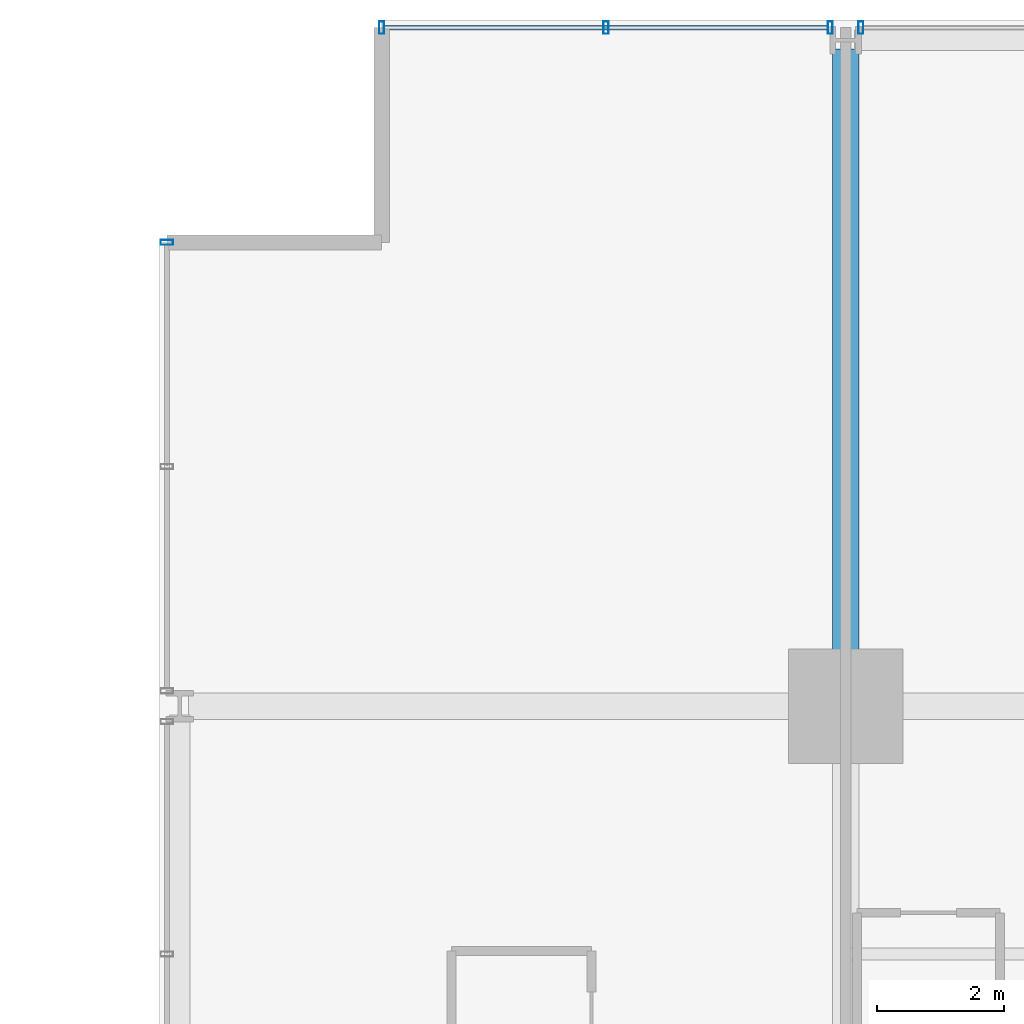
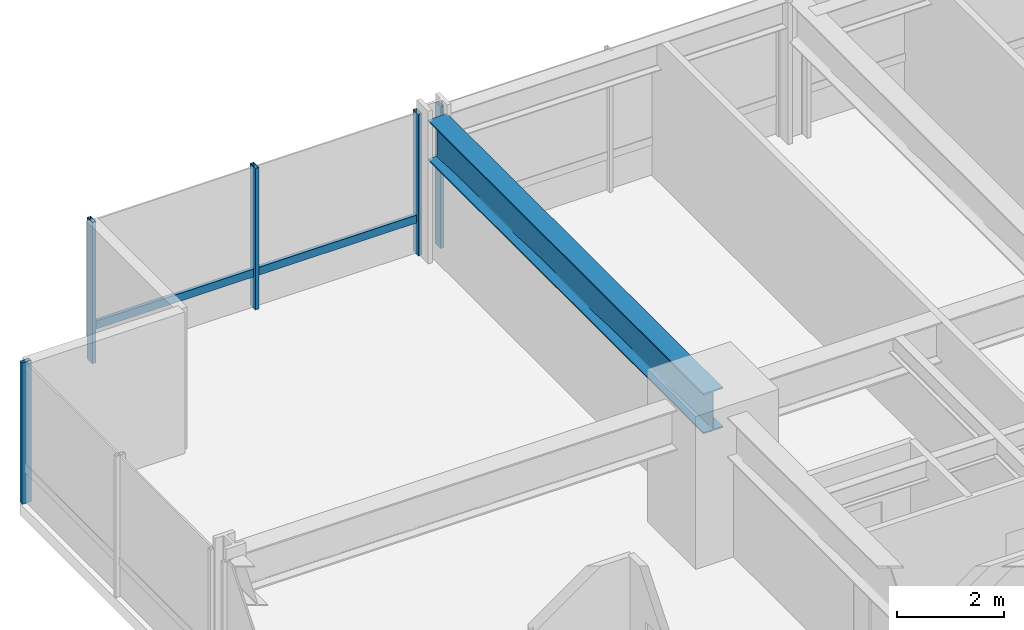
# One storey, part 21 of 39: 6 members, 1 beam, 3 elements without a shape of their own.
"""IFC4 building model written with IfcOpenShell, lengths in metres."""

from ifc_helpers import new_model, si_unit, direction, frame, origin, origin_2d, place, context, subcontext, project, spatial, hollow_rectangle, i_section, extrude, material, layer, layer_set, material_profile, profile_set, type_object, element, aggregate, save


model = new_model("IFC4")

# Units and contexts
model_context = context("Model", 3, precision=1e-05, world=origin(), true_north=direction((0.0, 1.0)))
body_context = subcontext(model_context, "Body", "Model", "MODEL_VIEW")
ifc_project = project(units=[si_unit("LENGTHUNIT", "METRE"), si_unit("AREAUNIT", "SQUARE_METRE"), si_unit("VOLUMEUNIT", "CUBIC_METRE"), si_unit("PLANEANGLEUNIT", "RADIAN"), si_unit("MASSUNIT", "GRAM", prefix="KILO")], contexts=[model_context])

# Site, building, storey
site_placement = place(None, origin())
site = spatial("IfcSite", under=ifc_project, at=site_placement, CompositionType="ELEMENT")
building_placement = place(site_placement, origin())
building = spatial("IfcBuilding", under=site, at=building_placement, Name="Drelvath Grand Hotel", CompositionType="ELEMENT")
storey_placement = place(building_placement, frame((0.0, 0.0, 36.699951171875)))
storey = spatial("IfcBuildingStorey", under=building, at=storey_placement, Name="L07", CompositionType="ELEMENT", Elevation=36.699951171875)

# Curtain wall, member
ifc_material_1 = material(Name="Warm Bronze Anodised Aluminium Frame", Category="aluminium")
ifc_layer = layer(ifc_material_1, 0.199951171875)
ifc_layer_set = layer_set([ifc_layer], Name="Warm Bronze Anodised Aluminium Frame")
curtain_wall_type = type_object("IfcCurtainWallType", Name="Stick Curtain Wall CW-02 Warm Bronze Low-Rise", PredefinedType="NOTDEFINED", material=ifc_layer_set)
curtain_wall_1_placement = place(storey_placement, origin())
curtain_wall_1 = element("IfcCurtainWall", 1, at=curtain_wall_1_placement, inside=storey, type_object=curtain_wall_type, Name="L07 CW-02 Curtain Wall CW02-L07-NW1", PredefinedType="NOTDEFINED")
ifc_material_profile_1 = material_profile(ifc_material_1, hollow_rectangle(XDim=0.074951171875, YDim=0.179931640625, WallThickness=0.0048828125, at=origin_2d()), Name="HSS180X75X5")
ifc_profile_set_1 = profile_set([ifc_material_profile_1], Name="Warm Bronze Anodised Aluminium Frame")
member_type_1 = type_object("IfcMemberType", Name="Curtain Wall Horizontal Transom CW-02 HSS180X75X5", PredefinedType="USERDEFINED", material=ifc_profile_set_1)
member_1_placement = place(storey_placement, frame((-23.4599609375, 53.8798828125, 0.81005859375), z_axis=(1.0, 0.0, 0.0), x_axis=(0.0, 1.0, 0.0)))
member_1 = element("IfcMember", 2, at=member_1_placement, type_object=member_type_1, Name="CW02-L07-NW1 Sill Transom", ObjectType="TRANSOM", PredefinedType="USERDEFINED", context=body_context, shape_type="SweptSolid", body=[
    extrude(hollow_rectangle(XDim=0.074951171875, YDim=0.179931640625, WallThickness=0.0048828125, at=origin_2d()), origin(), (0.0, 0.0, 1.0), 6.97900390625),
])

curtain_wall_2_placement = place(storey_placement, origin())
curtain_wall_2 = element("IfcCurtainWall", 3, at=curtain_wall_2_placement, inside=storey, type_object=curtain_wall_type, Name="L07 CW-02 Curtain Wall CW02-L07-WN3", PredefinedType="NOTDEFINED")
ifc_material_profile_2 = material_profile(ifc_material_1, hollow_rectangle(XDim=0.080078125, YDim=0.199951171875, WallThickness=0.0048828125, at=origin_2d()), Name="HSS200X80X5")
ifc_profile_set_2 = profile_set([ifc_material_profile_2], Name="Warm Bronze Anodised Aluminium Frame")
member_type_2 = type_object("IfcMemberType", Name="Curtain Wall Vertical Mullion CW-02 HSS200X80X5", PredefinedType="MULLION", material=ifc_profile_set_2)
member_2_placement = place(storey_placement, frame((-26.8798828125, 50.5, 0.0), z_axis=(0.0, 0.0, 1.0), x_axis=(0.0, 1.0, 0.0)))
member_2 = element("IfcMember", 4, at=member_2_placement, type_object=member_type_2, Name="CW02-L07-WN3 Mullion 3", PredefinedType="MULLION", context=body_context, shape_type="SweptSolid", body=[
    extrude(hollow_rectangle(XDim=0.080078125, YDim=0.199951171875, WallThickness=0.0048828125, at=origin_2d()), origin(), (0.0, 0.0, 1.0), 3.239990234375),
])
aggregate(curtain_wall_2, [member_2])

# Member
member_3_placement = place(storey_placement, frame((-23.5, 53.8798828125, 0.0), z_axis=(0.0, 0.0, 1.0), x_axis=(1.0, 0.0, 0.0)))
member_3 = element("IfcMember", 5, at=member_3_placement, type_object=member_type_2, Name="CW02-L07-NW1 Mullion 1", PredefinedType="MULLION", context=body_context, shape_type="SweptSolid", body=[
    extrude(hollow_rectangle(XDim=0.080078125, YDim=0.199951171875, WallThickness=0.0048828125, at=origin_2d()), origin(), (0.0, 0.0, 1.0), 3.239990234375),
])

member_4_placement = place(storey_placement, frame((-19.970458984375, 53.8798828125, 0.0), z_axis=(0.0, 0.0, 1.0), x_axis=(1.0, 0.0, 0.0)))
member_4 = element("IfcMember", 6, at=member_4_placement, type_object=member_type_2, Name="CW02-L07-NW1 Mullion 2", PredefinedType="MULLION", context=body_context, shape_type="SweptSolid", body=[
    extrude(hollow_rectangle(XDim=0.080078125, YDim=0.199951171875, WallThickness=0.0048828125, at=origin_2d()), origin(), (0.0, 0.0, 1.0), 3.239990234375),
])

member_5_placement = place(storey_placement, frame((-16.44091796875, 53.8798828125, 0.0), z_axis=(0.0, 0.0, 1.0), x_axis=(1.0, 0.0, 0.0)))
member_5 = element("IfcMember", 7, at=member_5_placement, type_object=member_type_2, Name="CW02-L07-NW1 Mullion 3", PredefinedType="MULLION", context=body_context, shape_type="SweptSolid", body=[
    extrude(hollow_rectangle(XDim=0.080078125, YDim=0.199951171875, WallThickness=0.0048828125, at=origin_2d()), origin(), (0.0, 0.0, 1.0), 3.239990234375),
])

aggregate(curtain_wall_1, [member_3, member_4, member_5, member_1])

# Curtain wall, member
curtain_wall_3_placement = place(storey_placement, origin())
curtain_wall_3 = element("IfcCurtainWall", 8, at=curtain_wall_3_placement, inside=storey, type_object=curtain_wall_type, Name="L07 CW-02 Curtain Wall CW02-L07-NW2", PredefinedType="NOTDEFINED")
member_6_placement = place(storey_placement, frame((-15.958984375, 53.8798828125, 0.0), z_axis=(0.0, 0.0, 1.0), x_axis=(1.0, 0.0, 0.0)))
member_6 = element("IfcMember", 9, at=member_6_placement, type_object=member_type_2, Name="CW02-L07-NW2 Mullion 1", PredefinedType="MULLION", context=body_context, shape_type="SweptSolid", body=[
    extrude(hollow_rectangle(XDim=0.080078125, YDim=0.199951171875, WallThickness=0.0048828125, at=origin_2d()), origin(), (0.0, 0.0, 1.0), 3.239990234375),
])
aggregate(curtain_wall_3, [member_6])

# Beam
ifc_material_2 = material(Name="Steel ASTM A992 Gr 50", Category="steel")
ifc_material_profile_3 = material_profile(ifc_material_2, i_section(OverallWidth=0.418212890625, OverallDepth=0.926513671875, WebThickness=0.019287109375, FlangeThickness=0.031982421875, FilletRadius=0.028076171875, at=origin_2d()), Name="W36X231")
ifc_profile_set_3 = profile_set([ifc_material_profile_3], Name="Steel ASTM A992 Gr 50")
beam_type = type_object("IfcBeamType", Name="Primary Floor Girder W36X231", PredefinedType="BEAM", material=ifc_profile_set_3)
beam_placement = place(storey_placement, frame((-16.199951171875, 43.199951171875, 2.77685546875), z_axis=(0.0, 1.0, 0.0), x_axis=(-1.0, 0.0, 0.0)))
element("IfcBeam", 10, at=beam_placement, inside=storey, type_object=beam_type, Name="L07 North Grid Girder 3", PredefinedType="BEAM", context=body_context, shape_type="SweptSolid", body=[
    extrude(i_section(OverallWidth=0.418212890625, OverallDepth=0.926513671875, WebThickness=0.019287109375, FlangeThickness=0.031982421875, FilletRadius=0.028076171875, at=origin_2d()), origin(), (0.0, 0.0, 1.0), 10.340087890625),
])

save(model, "model.ifc")
